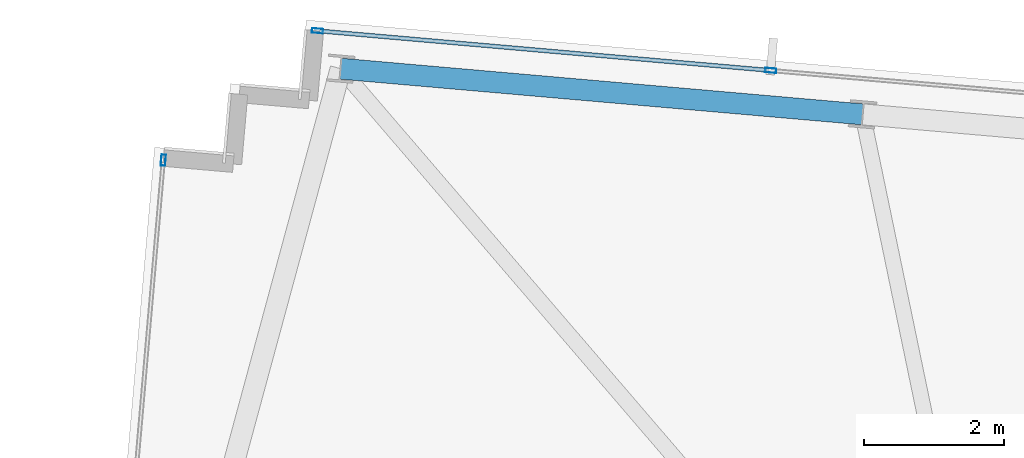
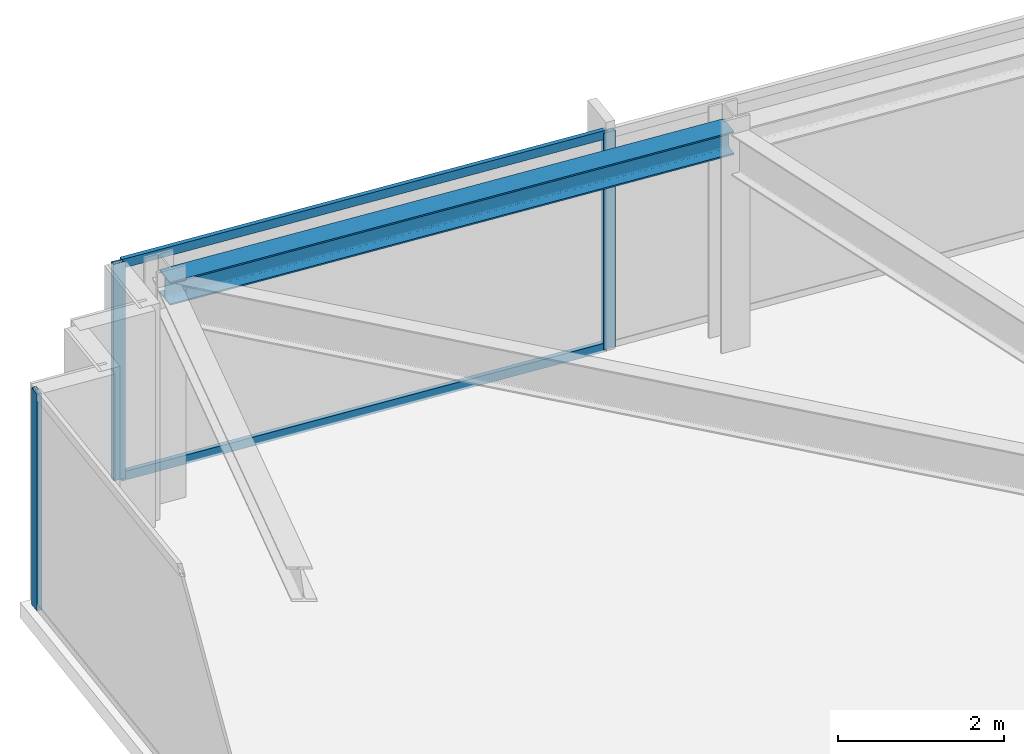
# One storey, part 23 of 32: 5 members, 1 beam, 2 elements without a shape of their own.
"""IFC4 building model written with IfcOpenShell, lengths in metres."""

from ifc_helpers import new_model, si_unit, direction, frame, origin, origin_2d, place, context, subcontext, project, spatial, hollow_rectangle, i_section, extrude, material, material_profile, profile_set, type_object, element, aggregate, save


model = new_model("IFC4")

# Units and contexts
model_context = context("Model", 3, precision=1e-05, world=origin(), true_north=direction((0.0, 1.0)))
body_context = subcontext(model_context, "Body", "Model", "MODEL_VIEW")
ifc_project = project(units=[si_unit("LENGTHUNIT", "METRE"), si_unit("AREAUNIT", "SQUARE_METRE"), si_unit("VOLUMEUNIT", "CUBIC_METRE"), si_unit("PLANEANGLEUNIT", "RADIAN"), si_unit("MASSUNIT", "GRAM", prefix="KILO")], contexts=[model_context])

# Site, building, storey
site_placement = place(None, origin())
site = spatial("IfcSite", under=ifc_project, at=site_placement, CompositionType="ELEMENT")
building_placement = place(site_placement, origin())
building = spatial("IfcBuilding", under=site, at=building_placement, Name="Yelkora Congress Tower", CompositionType="ELEMENT")
storey_placement = place(building_placement, frame((0.0, 0.0, 265.89990234375)))
storey = spatial("IfcBuildingStorey", under=building, at=storey_placement, Name="L74", CompositionType="ELEMENT", Elevation=265.89990234375)

# Beam
ifc_material_1 = material(Name="Steel S355J2", Category="steel")
ifc_material_profile_1 = material_profile(ifc_material_1, i_section(OverallWidth=0.300048828125, OverallDepth=0.340087890625, WebThickness=0.011962890625, FlangeThickness=0.021484375, FilletRadius=0.027099609375, at=origin_2d()), Name="HEB 340")
ifc_profile_set_1 = profile_set([ifc_material_profile_1], Name="Steel S355J2")
beam_type = type_object("IfcBeamType", Name="BM-SPAN-HEB340", PredefinedType="SPANDREL", material=ifc_profile_set_1)
beam_placement = place(storey_placement, frame((18.058837890625, 49.231689453125, 3.010009765625), z_axis=(-0.996193186297, 0.08717302092, 0.0), x_axis=(-0.08717302092, -0.996193186297, 0.0)))
element("IfcBeam", 1, at=beam_placement, inside=storey, type_object=beam_type, Name="L74 Perimeter Beam 12", PredefinedType="SPANDREL", context=body_context, shape_type="SweptSolid", body=[
    extrude(i_section(OverallWidth=0.300048828125, OverallDepth=0.340087890625, WebThickness=0.011962890625, FlangeThickness=0.021484375, FilletRadius=0.027099609375, at=origin_2d()), origin(), (0.0, 0.0, 1.0), 7.4833984375),
])

# Curtain wall, member
ifc_material_2 = material(Name="Anodised aluminium and insulated glass", Category="aluminium")
curtain_wall_type = type_object("IfcCurtainWallType", Name="CW-SYS-B5", PredefinedType="NOTDEFINED", material=ifc_material_2)
curtain_wall_1_placement = place(storey_placement, origin())
curtain_wall_1 = element("IfcCurtainWall", 2, at=curtain_wall_1_placement, inside=storey, type_object=curtain_wall_type, Name="L74 Unitised Curtain Wall 5", PredefinedType="NOTDEFINED")
ifc_material_3 = material(Name="Anodised aluminium 6063-T6", Category="aluminium")
ifc_material_profile_2 = material_profile(ifc_material_3, hollow_rectangle(XDim=0.06494140625, YDim=0.159912109375, WallThickness=0.00390625, at=origin_2d()), Name="ALU 65x160x4")
ifc_profile_set_2 = profile_set([ifc_material_profile_2], Name="Anodised aluminium 6063-T6")
member_type_1 = type_object("IfcMemberType", Name="MEM-ML-B5", PredefinedType="MULLION", material=ifc_profile_set_2)
member_1_placement = place(storey_placement, frame((8.070556640625, 48.577392578125, 0.0), z_axis=(0.0, 0.0, 1.0), x_axis=(-0.996194785929, 0.08715473876, 0.0)))
member_1 = element("IfcMember", 3, at=member_1_placement, type_object=member_type_1, Name="CW-B5 mullion 5", PredefinedType="MULLION", context=body_context, shape_type="SweptSolid", body=[
    extrude(hollow_rectangle(XDim=0.06494140625, YDim=0.159912109375, WallThickness=0.00390625, at=origin_2d()), origin(), (0.0, 0.0, 1.0), 3.18017578125),
])
aggregate(curtain_wall_1, [member_1])

# Curtain wall, members
curtain_wall_2_placement = place(storey_placement, origin())
curtain_wall_2 = element("IfcCurtainWall", 4, at=curtain_wall_2_placement, inside=storey, type_object=curtain_wall_type, Name="L74 Unitised Curtain Wall 10", PredefinedType="NOTDEFINED")
member_2_placement = place(storey_placement, frame((10.2724609375, 50.425048828125, 0.0), z_axis=(0.0, 0.0, 1.0), x_axis=(0.087156639893, 0.996194619601, 0.0)))
member_2 = element("IfcMember", 5, at=member_2_placement, type_object=member_type_1, Name="CW-B5 mullion 1", PredefinedType="MULLION", context=body_context, shape_type="SweptSolid", body=[
    extrude(hollow_rectangle(XDim=0.06494140625, YDim=0.159912109375, WallThickness=0.00390625, at=origin_2d()), origin(), (0.0, 0.0, 1.0), 3.18017578125),
])
member_3_placement = place(storey_placement, frame((16.74658203125, 49.858642578125, 0.0), z_axis=(0.0, 0.0, 1.0), x_axis=(0.087156639893, 0.996194619601, 0.0)))
member_3 = element("IfcMember", 6, at=member_3_placement, type_object=member_type_1, Name="CW-B5 mullion 2", PredefinedType="MULLION", context=body_context, shape_type="SweptSolid", body=[
    extrude(hollow_rectangle(XDim=0.06494140625, YDim=0.159912109375, WallThickness=0.00390625, at=origin_2d()), origin(), (0.0, 0.0, 1.0), 3.18017578125),
])
ifc_material_profile_3 = material_profile(ifc_material_3, hollow_rectangle(XDim=0.06005859375, YDim=0.1298828125, WallThickness=0.00390625, at=origin_2d()), Name="ALU 60x130x4")
ifc_profile_set_3 = profile_set([ifc_material_profile_3], Name="Anodised aluminium 6063-T6")
member_type_2 = type_object("IfcMemberType", Name="MEM-TR-B5", PredefinedType="USERDEFINED", material=ifc_profile_set_3)
member_4_placement = place(storey_placement, frame((10.3046875, 50.422119140625, 0.030029296875), z_axis=(0.996194170551, -0.08716177236, 0.0), x_axis=(0.08716177236, 0.996194170551, 0.0)))
member_4 = element("IfcMember", 7, at=member_4_placement, type_object=member_type_2, Name="CW-B5 transom 1.1", ObjectType="TRANSOM", PredefinedType="USERDEFINED", context=body_context, shape_type="SweptSolid", body=[
    extrude(hollow_rectangle(XDim=0.06005859375, YDim=0.1298828125, WallThickness=0.00390625, at=origin_2d()), origin(), (0.0, 0.0, 1.0), 6.433837890625),
])
member_5_placement = place(storey_placement, frame((10.3046875, 50.422119140625, 3.150146484375), z_axis=(0.996194170551, -0.08716177236, 0.0), x_axis=(0.08716177236, 0.996194170551, 0.0)))
member_5 = element("IfcMember", 8, at=member_5_placement, type_object=member_type_2, Name="CW-B5 transom 1.2", ObjectType="TRANSOM", PredefinedType="USERDEFINED", context=body_context, shape_type="SweptSolid", body=[
    extrude(hollow_rectangle(XDim=0.06005859375, YDim=0.1298828125, WallThickness=0.00390625, at=origin_2d()), origin(), (0.0, 0.0, 1.0), 6.433837890625),
])
aggregate(curtain_wall_2, [member_2, member_3, member_4, member_5])

save(model, "model.ifc")
